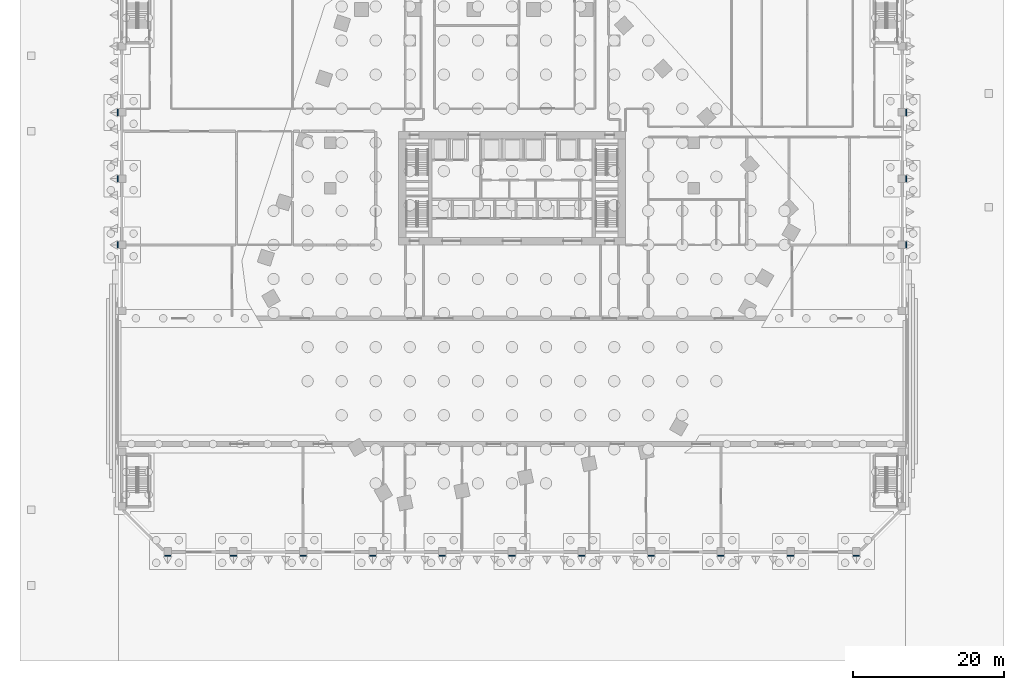
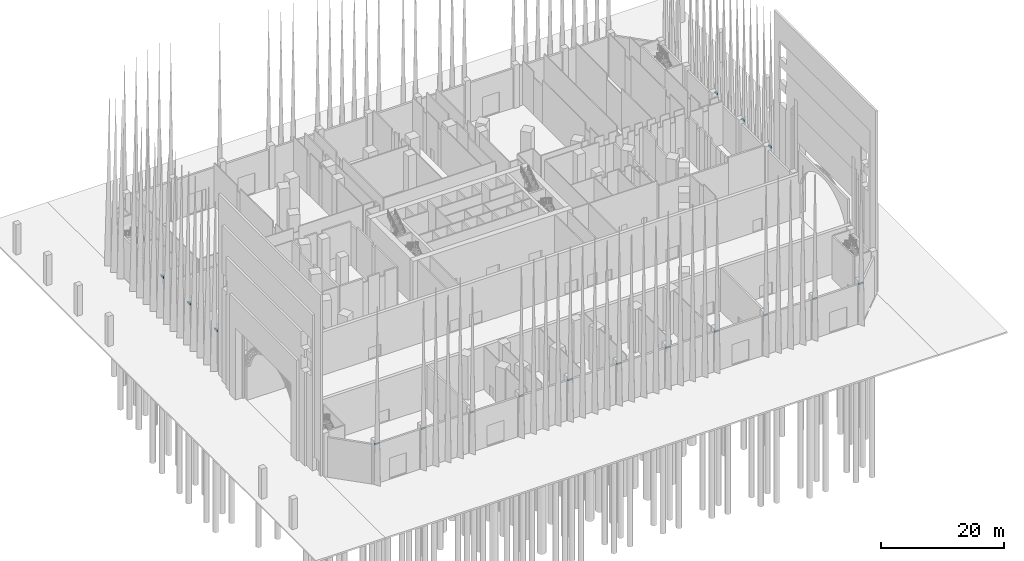
# One storey, part 18 of 32: 17 discrete accessories.
"""IFC4 building model written with IfcOpenShell, lengths in metres."""

from ifc_helpers import new_model, si_unit, direction, frame, origin, origin_2d, place, context, subcontext, project, spatial, rectangle, extrude, material, type_object, element, save


model = new_model("IFC4")

# Units and contexts
model_context = context("Model", 3, precision=1e-05, world=origin(), true_north=direction((0.0, 1.0)))
body_context = subcontext(model_context, "Body", "Model", "MODEL_VIEW")
ifc_project = project(units=[si_unit("LENGTHUNIT", "METRE"), si_unit("AREAUNIT", "SQUARE_METRE"), si_unit("VOLUMEUNIT", "CUBIC_METRE"), si_unit("PLANEANGLEUNIT", "RADIAN"), si_unit("MASSUNIT", "GRAM", prefix="KILO")], contexts=[model_context])

# Site, building, storey
site_placement = place(None, origin())
site = spatial("IfcSite", under=ifc_project, at=site_placement, CompositionType="ELEMENT")
building_placement = place(site_placement, origin())
building = spatial("IfcBuilding", under=site, at=building_placement, Name="Isthmus Gate Tower", CompositionType="ELEMENT")
storey_placement = place(building_placement, origin())
storey = spatial("IfcBuildingStorey", under=building, at=storey_placement, Name="L00", CompositionType="ELEMENT", Elevation=0.0)

# Discrete accessories
ifc_material = material(Name="Structural steel ASTM A572 Gr 50, white paint system", Category="steel")
discrete_accessory_type = type_object("IfcDiscreteAccessoryType", Name="FIN BRACKET 808 X 150 X 300", PredefinedType="BRACKET", material=ifc_material)
for number, where, z_axis, x_axis, name in (
    (1, (-45.5, -41.074951171875, 7.85009765625), (0.0, 0.0, 1.0), (0.0, -1.0, 0.0), "FIN BRACKET"),
    (2, (-36.800048828125, -41.074951171875, 7.85009765625), (0.0, 0.0, 1.0), (0.0, -1.0, 0.0), "FIN BRACKET"),
    (3, (-27.60009765625, -41.074951171875, 7.85009765625), (0.0, 0.0, 1.0), (0.0, -1.0, 0.0), "FIN BRACKET"),
    (4, (-18.39990234375, -41.074951171875, 7.85009765625), (0.0, 0.0, 1.0), (0.0, -1.0, 0.0), "FIN BRACKET"),
    (5, (-9.199951171875, -41.074951171875, 7.85009765625), (0.0, 0.0, 1.0), (0.0, -1.0, 0.0), "FIN BRACKET"),
    (6, (0.0, -41.074951171875, 7.85009765625), (0.0, 0.0, 1.0), (0.0, -1.0, 0.0), "FIN BRACKET"),
    (7, (9.199951171875, -41.074951171875, 7.85009765625), (0.0, 0.0, 1.0), (0.0, -1.0, 0.0), "FIN BRACKET"),
    (8, (18.39990234375, -41.074951171875, 7.85009765625), (0.0, 0.0, 1.0), (0.0, -1.0, 0.0), "FIN BRACKET"),
    (9, (27.60009765625, -41.074951171875, 7.85009765625), (0.0, 0.0, 1.0), (0.0, -1.0, 0.0), "FIN BRACKET"),
    (10, (36.800048828125, -41.074951171875, 7.85009765625), (0.0, 0.0, 1.0), (0.0, -1.0, 0.0), "FIN BRACKET"),
    (11, (45.5, -41.074951171875, 7.85009765625), (0.0, 0.0, 1.0), (0.0, -1.0, 0.0), "FIN BRACKET"),
    (12, (52.074951171875, 0.0, 7.85009765625), (0.0, 0.0, 1.0), (1.0, 0.0, 0.0), "FIN BRACKET"),
    (13, (52.074951171875, 8.75, 7.85009765625), (0.0, 0.0, 1.0), (1.0, 0.0, 0.0), "FIN BRACKET"),
    (14, (52.074951171875, 17.5, 7.85009765625), (0.0, 0.0, 1.0), (1.0, 0.0, 0.0), "FIN BRACKET"),
    (15, (-52.074951171875, 17.5, 7.85009765625), (0.0, 0.0, 1.0), (-1.0, 0.0, 0.0), "FIN BRACKET"),
    (16, (-52.074951171875, 8.75, 7.85009765625), (0.0, 0.0, 1.0), (-1.0, 0.0, 0.0), "FIN BRACKET"),
    (17, (-52.074951171875, 0.0, 7.85009765625), (0.0, 0.0, 1.0), (-1.0, 0.0, 0.0), "FIN BRACKET"),
):
    element("IfcDiscreteAccessory", number, at=place(storey_placement, frame(where, z_axis=z_axis, x_axis=x_axis)), inside=storey, type_object=discrete_accessory_type, Name=name, PredefinedType="BRACKET", context=body_context, shape_type="SweptSolid", body=[
        extrude(rectangle(XDim=0.14990234375, YDim=0.807861328125, at=origin_2d()), origin(), (0.0, 0.0, 1.0), 0.300048828125),
    ])

save(model, "model.ifc")
